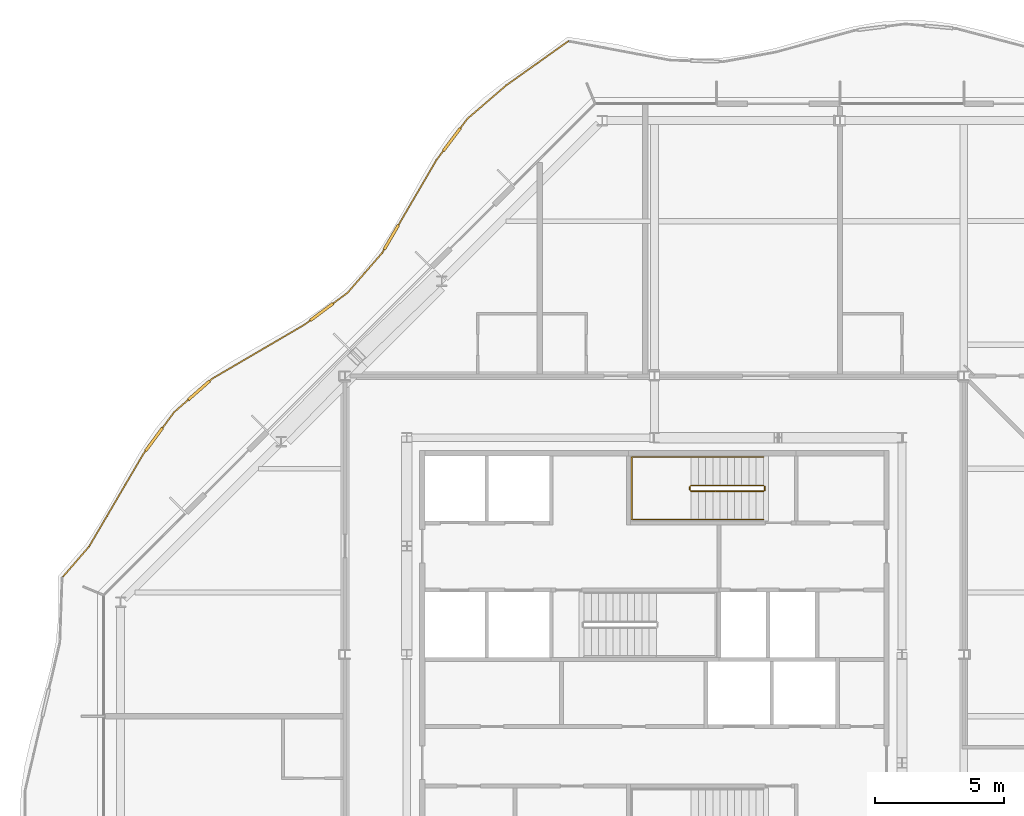
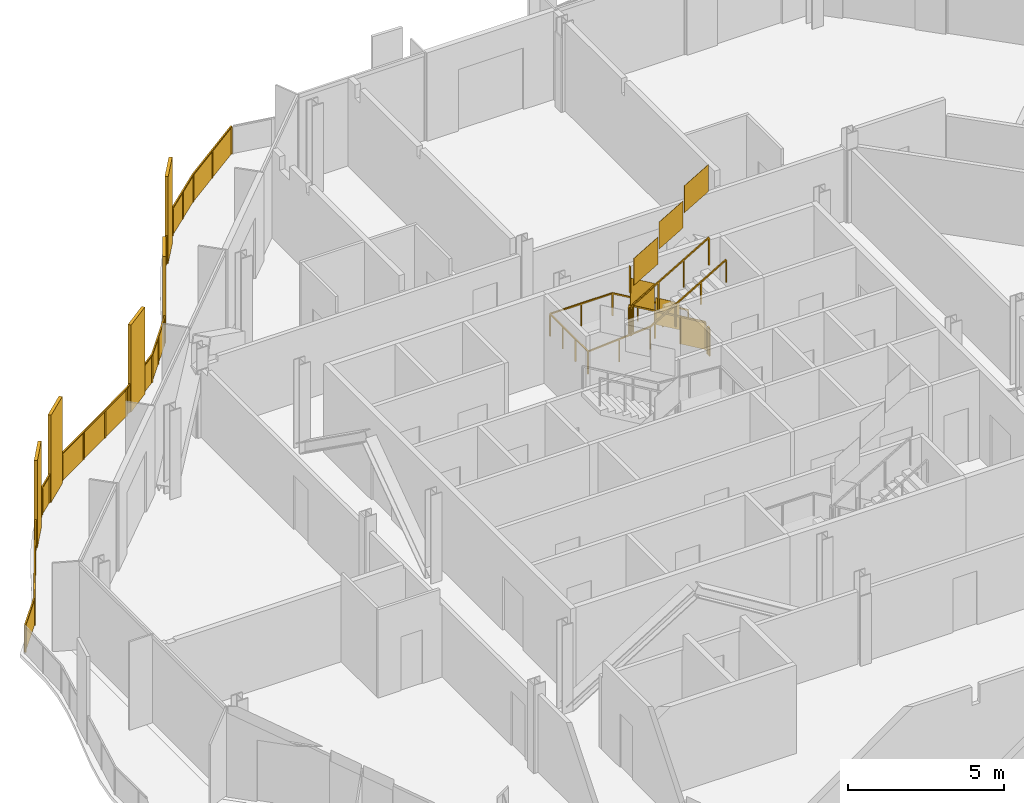
# One storey, part 16 of 17: 4 railings.
"""IFC4 building model written with IfcOpenShell, lengths in metres."""

from ifc_helpers import new_model, si_unit, direction, frame, origin, origin_2d, place, context, subcontext, project, spatial, polyline, rectangle, outline, extrude, material, type_object, element, save


model = new_model("IFC4")

# Units and contexts
model_context = context("Model", 3, precision=1e-05, world=origin(), true_north=direction((0.0, 1.0)))
body_context = subcontext(model_context, "Body", "Model", "MODEL_VIEW")
ifc_project = project(units=[si_unit("LENGTHUNIT", "METRE"), si_unit("AREAUNIT", "SQUARE_METRE"), si_unit("VOLUMEUNIT", "CUBIC_METRE"), si_unit("PLANEANGLEUNIT", "RADIAN"), si_unit("MASSUNIT", "GRAM", prefix="KILO")], contexts=[model_context])

# Site, building, storey
site_placement = place(None, origin())
site = spatial("IfcSite", under=ifc_project, at=site_placement, CompositionType="ELEMENT")
building_placement = place(site_placement, origin())
building = spatial("IfcBuilding", under=site, at=building_placement, Name="Cairn Pilgrim Tower", CompositionType="ELEMENT")
storey_placement = place(building_placement, frame((0.0, 0.0, 239.39990234375)))
storey = spatial("IfcBuildingStorey", under=building, at=storey_placement, Name="L61", CompositionType="ELEMENT", Elevation=239.39990234375)

# Railings
ifc_material_1 = material(Name="Bronze anodised aluminium rail, posts and fin screens with laminated glass infill", Category="aluminium")
railing_type_1 = type_object("IfcRailingType", Name="BALCONY GUARD WITH FIN SCREENS", PredefinedType="GUARDRAIL", material=ifc_material_1)
railing_1_placement = place(storey_placement, frame((3.865966796875, 26.1806640625, 0.0)))
element("IfcRailing", 1, at=railing_1_placement, inside=storey, type_object=railing_type_1, Name="Balcony guard BGF-6 with fin screens", PredefinedType="GUARDRAIL", context=body_context, shape_type="SweptSolid", body=[
    extrude(rectangle(XDim=0.050048828125, YDim=0.050048828125, at=origin_2d()), frame((0.0, 0.0, 1.0751953125), z_axis=(-0.81479384637, -0.579750798117, 0.0), x_axis=(0.579750798117, -0.81479384637, 0.0)), (0.0, 0.0, 1.0), 2.951904296875),
    extrude(rectangle(XDim=0.050048828125, YDim=0.050048828125, at=origin_2d()), frame((-2.4052734375, -1.71142578125, 1.0751953125), z_axis=(-0.758252995424, -0.65196042436, 0.0), x_axis=(0.65196042436, -0.758252995424, 0.0)), (0.0, 0.0, 1.0), 1.99365234375),
    extrude(rectangle(XDim=1.10009765625, YDim=0.110107421875, at=origin_2d()), frame((-4.522705078125, -3.820068359375, 0.0), z_axis=(0.0, 0.0, 1.0), x_axis=(-0.599454901789, -0.800408533639, 0.0)), (0.0, 0.0, 1.0), 3.39990234375),
    extrude(rectangle(XDim=0.050048828125, YDim=0.050048828125, at=origin_2d()), frame((-3.9169921875, -3.01123046875, 1.0751953125), z_axis=(-0.599454901789, -0.800408533639, 0.0), x_axis=(0.800408533639, -0.599454901789, 0.0)), (0.0, 0.0, 1.0), 0.460693359375),
    extrude(rectangle(XDim=0.050048828125, YDim=0.050048828125, at=origin_2d()), frame((-4.8525390625, -4.26025390625, 1.0751953125), z_axis=(-0.599454901789, -0.800408533639, 0.0), x_axis=(0.800408533639, -0.599454901789, 0.0)), (0.0, 0.0, 1.0), 0.446533203125),
    extrude(rectangle(XDim=1.10009765625, YDim=0.110107421875, at=origin_2d()), frame((-6.867919921875, -7.608642578125, 0.0), z_axis=(0.0, 0.0, 1.0), x_axis=(-0.504563478726, -0.86337459769, 0.0)), (0.0, 0.0, 1.0), 3.39990234375),
    extrude(rectangle(XDim=0.050048828125, YDim=0.050048828125, at=origin_2d()), frame((-5.1201171875, -4.61767578125, 1.0751953125), z_axis=(-0.504563478726, -0.86337459769, 0.0), x_axis=(0.86337459769, -0.504563478726, 0.0)), (0.0, 0.0, 1.0), 2.9140625),
    extrude(rectangle(XDim=0.050048828125, YDim=0.050048828125, at=origin_2d()), frame((-7.1455078125, -8.08349609375, 1.0751953125), z_axis=(-0.504563478726, -0.86337459769, 0.0), x_axis=(0.86337459769, -0.504563478726, 0.0)), (0.0, 0.0, 1.0), 0.14990234375),
    extrude(rectangle(XDim=0.050048828125, YDim=0.050048828125, at=origin_2d()), frame((-7.22119140625, -8.212890625, 1.0751953125), z_axis=(-0.655679497704, -0.755039334267, 0.0), x_axis=(0.755039334267, -0.655679497704, 0.0)), (0.0, 0.0, 1.0), 2.046875),
    extrude(rectangle(XDim=1.10009765625, YDim=0.110107421875, at=origin_2d()), frame((-9.56787109375, -10.504150390625, 0.0), z_axis=(0.0, 0.0, 1.0), x_axis=(-0.802951496235, -0.596044373092, 0.0)), (0.0, 0.0, 1.0), 3.39990234375),
    extrude(rectangle(XDim=0.050048828125, YDim=0.050048828125, at=origin_2d()), frame((-8.563232421875, -9.75830078125, 1.0751953125), z_axis=(-0.802951496235, -0.596044373092, 0.0), x_axis=(0.596044373092, -0.802951496235, 0.0)), (0.0, 0.0, 1.0), 0.701171875),
    extrude(rectangle(XDim=0.050048828125, YDim=0.050048828125, at=origin_2d()), frame((-10.009521484375, -10.83203125, 1.0751953125), z_axis=(-0.802951496235, -0.596044373092, 0.0), x_axis=(0.596044373092, -0.802951496235, 0.0)), (0.0, 0.0, 1.0), 0.256591796875),
    extrude(rectangle(XDim=0.050048828125, YDim=0.050048828125, at=origin_2d()), frame((-10.215576171875, -10.98486328125, 1.0751953125), z_axis=(-0.863076368021, -0.505073443138, 0.0), x_axis=(0.505073443138, -0.863076368021, 0.0)), (0.0, 0.0, 1.0), 4.151611328125),
    extrude(rectangle(XDim=1.10009765625, YDim=0.110107421875, at=origin_2d()), frame((-14.324951171875, -13.54345703125, 0.0), z_axis=(0.0, 0.0, 1.0), x_axis=(-0.751776225844, -0.659418309009, 0.0)), (0.0, 0.0, 1.0), 3.39990234375),
    extrude(rectangle(XDim=0.050048828125, YDim=0.050048828125, at=origin_2d()), frame((-13.798828125, -13.081787109375, 1.0751953125), z_axis=(-0.751776225844, -0.659418309009, 0.0), x_axis=(0.659418309009, -0.751776225844, 0.0)), (0.0, 0.0, 1.0), 0.14990234375),
    extrude(rectangle(XDim=0.050048828125, YDim=0.050048828125, at=origin_2d()), frame((-14.738525390625, -13.906005859375, 1.0751953125), z_axis=(-0.751776225844, -0.659418309009, 0.0), x_axis=(0.659418309009, -0.751776225844, 0.0)), (0.0, 0.0, 1.0), 0.735107421875),
    extrude(rectangle(XDim=1.10009765625, YDim=0.110107421875, at=origin_2d()), frame((-16.067626953125, -15.4462890625, 0.0), z_axis=(0.0, 0.0, 1.0), x_axis=(-0.5925318662, -0.805547011376, 0.0)), (0.0, 0.0, 1.0), 3.39990234375),
    extrude(rectangle(XDim=0.050048828125, YDim=0.050048828125, at=origin_2d()), frame((-15.291259765625, -14.390869140625, 1.0751953125), z_axis=(-0.5925318662, -0.805547011376, 0.0), x_axis=(0.805547011376, -0.5925318662, 0.0)), (0.0, 0.0, 1.0), 0.76025390625),
    extrude(rectangle(XDim=0.050048828125, YDim=0.050048828125, at=origin_2d()), frame((-16.3935546875, -15.889404296875, 1.0751953125), z_axis=(-0.5925318662, -0.805547011376, 0.0), x_axis=(0.805547011376, -0.5925318662, 0.0)), (0.0, 0.0, 1.0), 0.150146484375),
    extrude(rectangle(XDim=0.050048828125, YDim=0.050048828125, at=origin_2d()), frame((-16.482421875, -16.01025390625, 1.0751953125), z_axis=(-0.505733044514, -0.862690029899, 0.0), x_axis=(0.862690029899, -0.505733044514, 0.0)), (0.0, 0.0, 1.0), 4.1630859375),
    extrude(rectangle(XDim=0.050048828125, YDim=0.050048828125, at=origin_2d()), frame((-18.587890625, -19.601806640625, 1.0751953125), z_axis=(-0.654688927968, -0.755898410896, 0.0), x_axis=(0.755898410896, -0.654688927968, 0.0)), (0.0, 0.0, 1.0), 1.5390625),
    extrude(rectangle(XDim=0.050048828125, YDim=0.050048828125, at=origin_2d()), origin(), (0.0, 0.0, 1.0), 1.050048828125),
    extrude(rectangle(XDim=0.050048828125, YDim=0.050048828125, at=origin_2d()), frame((-1.20263671875, -0.855712890625, 0.0)), (0.0, 0.0, 1.0), 1.050048828125),
    extrude(rectangle(XDim=0.050048828125, YDim=0.050048828125, at=origin_2d()), frame((-2.4052734375, -1.71142578125, 0.0)), (0.0, 0.0, 1.0), 1.050048828125),
    extrude(rectangle(XDim=0.050048828125, YDim=0.050048828125, at=origin_2d()), frame((-3.1611328125, -2.361328125, 0.0)), (0.0, 0.0, 1.0), 1.050048828125),
    extrude(rectangle(XDim=0.050048828125, YDim=0.050048828125, at=origin_2d()), frame((-3.9169921875, -3.01123046875, 0.0)), (0.0, 0.0, 1.0), 1.050048828125),
    extrude(rectangle(XDim=0.050048828125, YDim=0.050048828125, at=origin_2d()), frame((-4.17822265625, -3.35986328125, 0.0)), (0.0, 0.0, 1.0), 1.050048828125),
    extrude(rectangle(XDim=0.050048828125, YDim=0.050048828125, at=origin_2d()), frame((-4.867431640625, -4.2802734375, 0.0)), (0.0, 0.0, 1.0), 1.050048828125),
    extrude(rectangle(XDim=0.050048828125, YDim=0.050048828125, at=origin_2d()), frame((-5.1201171875, -4.61767578125, 0.0)), (0.0, 0.0, 1.0), 1.050048828125),
    extrude(rectangle(XDim=0.050048828125, YDim=0.050048828125, at=origin_2d()), frame((-5.848876953125, -5.864990234375, 0.0)), (0.0, 0.0, 1.0), 1.050048828125),
    extrude(rectangle(XDim=0.050048828125, YDim=0.050048828125, at=origin_2d()), frame((-6.577880859375, -7.112060546875, 0.0)), (0.0, 0.0, 1.0), 1.050048828125),
    extrude(rectangle(XDim=0.050048828125, YDim=0.050048828125, at=origin_2d()), frame((-7.158203125, -8.10498046875, 0.0)), (0.0, 0.0, 1.0), 1.050048828125),
    extrude(rectangle(XDim=0.050048828125, YDim=0.050048828125, at=origin_2d()), frame((-7.22119140625, -8.212890625, 0.0)), (0.0, 0.0, 1.0), 1.050048828125),
    extrude(rectangle(XDim=0.050048828125, YDim=0.050048828125, at=origin_2d()), frame((-7.89208984375, -8.985595703125, 0.0)), (0.0, 0.0, 1.0), 1.050048828125),
    extrude(rectangle(XDim=0.050048828125, YDim=0.050048828125, at=origin_2d()), frame((-8.563232421875, -9.75830078125, 0.0)), (0.0, 0.0, 1.0), 1.050048828125),
    extrude(rectangle(XDim=0.050048828125, YDim=0.050048828125, at=origin_2d()), frame((-9.106201171875, -10.161376953125, 0.0)), (0.0, 0.0, 1.0), 1.050048828125),
    extrude(rectangle(XDim=0.050048828125, YDim=0.050048828125, at=origin_2d()), frame((-10.029541015625, -10.846923828125, 0.0)), (0.0, 0.0, 1.0), 1.050048828125),
    extrude(rectangle(XDim=0.050048828125, YDim=0.050048828125, at=origin_2d()), frame((-10.215576171875, -10.98486328125, 0.0)), (0.0, 0.0, 1.0), 1.050048828125),
    extrude(rectangle(XDim=0.050048828125, YDim=0.050048828125, at=origin_2d()), frame((-11.409912109375, -11.683837890625, 0.0)), (0.0, 0.0, 1.0), 1.050048828125),
    extrude(rectangle(XDim=0.050048828125, YDim=0.050048828125, at=origin_2d()), frame((-12.6044921875, -12.3828125, 0.0)), (0.0, 0.0, 1.0), 1.050048828125),
    extrude(rectangle(XDim=0.050048828125, YDim=0.050048828125, at=origin_2d()), frame((-13.798828125, -13.081787109375, 0.0)), (0.0, 0.0, 1.0), 1.050048828125),
    extrude(rectangle(XDim=0.050048828125, YDim=0.050048828125, at=origin_2d()), frame((-13.892822265625, -13.164306640625, 0.0)), (0.0, 0.0, 1.0), 1.050048828125),
    extrude(rectangle(XDim=0.050048828125, YDim=0.050048828125, at=origin_2d()), frame((-14.75732421875, -13.922607421875, 0.0)), (0.0, 0.0, 1.0), 1.050048828125),
    extrude(rectangle(XDim=0.050048828125, YDim=0.050048828125, at=origin_2d()), frame((-15.291259765625, -14.390869140625, 0.0)), (0.0, 0.0, 1.0), 1.050048828125),
    extrude(rectangle(XDim=0.050048828125, YDim=0.050048828125, at=origin_2d()), frame((-15.726806640625, -14.983154296875, 0.0)), (0.0, 0.0, 1.0), 1.050048828125),
    extrude(rectangle(XDim=0.050048828125, YDim=0.050048828125, at=origin_2d()), frame((-16.408203125, -15.909423828125, 0.0)), (0.0, 0.0, 1.0), 1.050048828125),
    extrude(rectangle(XDim=0.050048828125, YDim=0.050048828125, at=origin_2d()), frame((-16.482421875, -16.01025390625, 0.0)), (0.0, 0.0, 1.0), 1.050048828125),
    extrude(rectangle(XDim=0.050048828125, YDim=0.050048828125, at=origin_2d()), frame((-17.184326171875, -17.20751953125, 0.0)), (0.0, 0.0, 1.0), 1.050048828125),
    extrude(rectangle(XDim=0.050048828125, YDim=0.050048828125, at=origin_2d()), frame((-17.885986328125, -18.404541015625, 0.0)), (0.0, 0.0, 1.0), 1.050048828125),
    extrude(rectangle(XDim=0.050048828125, YDim=0.050048828125, at=origin_2d()), frame((-18.587890625, -19.601806640625, 0.0)), (0.0, 0.0, 1.0), 1.050048828125),
    extrude(rectangle(XDim=0.050048828125, YDim=0.050048828125, at=origin_2d()), frame((-19.595458984375, -20.76513671875, 0.0)), (0.0, 0.0, 1.0), 1.050048828125),
    extrude(outline(polyline([(0.02490234375, 0.0), (1.450927734375, 0.0), (1.450927734375, 1.050048828125), (0.02490234375, 1.050048828125), (0.02490234375, 0.0)])), frame((0.00341796875, -0.0048828125, 0.0), z_axis=(-0.579750798117, 0.81479384637, 0.0), x_axis=(-0.81479384637, -0.579750798117, 0.0)), (0.0, 0.0, 1.0), 0.011962890625),
    extrude(outline(polyline([(0.02490234375, 0.0), (1.450927734375, 0.0), (1.450927734375, 1.050048828125), (0.02490234375, 1.050048828125), (0.02490234375, 0.0)])), frame((-1.19921875, -0.860595703125, 0.0), z_axis=(-0.579750798117, 0.81479384637, 0.0), x_axis=(-0.81479384637, -0.579750798117, 0.0)), (0.0, 0.0, 1.0), 0.011962890625),
    extrude(outline(polyline([(0.02490234375, 0.0), (0.971923828125, 0.0), (0.971923828125, 1.050048828125), (0.02490234375, 1.050048828125), (0.02490234375, 0.0)])), frame((-2.4013671875, -1.716064453125, 0.0), z_axis=(-0.65196042436, 0.758252995424, 0.0), x_axis=(-0.758252995424, -0.65196042436, 0.0)), (0.0, 0.0, 1.0), 0.011962890625),
    extrude(outline(polyline([(0.02490234375, 0.0), (0.971923828125, 0.0), (0.971923828125, 1.050048828125), (0.02490234375, 1.050048828125), (0.02490234375, 0.0)])), frame((-3.1572265625, -2.365966796875, 0.0), z_axis=(-0.65196042436, 0.758252995424, 0.0), x_axis=(-0.758252995424, -0.65196042436, 0.0)), (0.0, 0.0, 1.0), 0.011962890625),
    extrude(outline(polyline([(0.02490234375, 0.0), (0.41064453125, 0.0), (0.41064453125, 1.050048828125), (0.02490234375, 1.050048828125), (0.02490234375, 0.0)])), frame((-3.912109375, -3.014892578125, 0.0), z_axis=(-0.800408533639, 0.599454901789, 0.0), x_axis=(-0.599454901789, -0.800408533639, 0.0)), (0.0, 0.0, 1.0), 0.011962890625),
    extrude(outline(polyline([(0.02490234375, 0.0), (0.396484375, 0.0), (0.396484375, 1.050048828125), (0.02490234375, 1.050048828125), (0.02490234375, 0.0)])), frame((-4.86279296875, -4.283935546875, 0.0), z_axis=(-0.800408533639, 0.599454901789, 0.0), x_axis=(-0.599454901789, -0.800408533639, 0.0)), (0.0, 0.0, 1.0), 0.011962890625),
    extrude(outline(polyline([(0.02490234375, 0.0), (1.41943359375, 0.0), (1.41943359375, 1.050048828125), (0.02490234375, 1.050048828125), (0.02490234375, 0.0)])), frame((-5.114990234375, -4.62060546875, 0.0), z_axis=(-0.86337459769, 0.504563478726, 0.0), x_axis=(-0.504563478726, -0.86337459769, 0.0)), (0.0, 0.0, 1.0), 0.011962890625),
    extrude(outline(polyline([(0.02490234375, 0.0), (1.41943359375, 0.0), (1.41943359375, 1.050048828125), (0.02490234375, 1.050048828125), (0.02490234375, 0.0)])), frame((-5.84375, -5.867919921875, 0.0), z_axis=(-0.86337459769, 0.504563478726, 0.0), x_axis=(-0.504563478726, -0.86337459769, 0.0)), (0.0, 0.0, 1.0), 0.011962890625),
    extrude(outline(polyline([(0.02490234375, 0.0), (0.099853515625, 0.0), (0.099853515625, 1.050048828125), (0.02490234375, 1.050048828125), (0.02490234375, 0.0)])), frame((-7.153076171875, -8.108154296875, 0.0), z_axis=(-0.86337459769, 0.504563478726, 0.0), x_axis=(-0.504563478726, -0.86337459769, 0.0)), (0.0, 0.0, 1.0), 0.011962890625),
    extrude(outline(polyline([(0.02490234375, 0.0), (0.998291015625, 0.0), (0.998291015625, 1.050048828125), (0.02490234375, 1.050048828125), (0.02490234375, 0.0)])), frame((-7.216796875, -8.216796875, 0.0), z_axis=(-0.755039334267, 0.655679497704, 0.0), x_axis=(-0.655679497704, -0.755039334267, 0.0)), (0.0, 0.0, 1.0), 0.011962890625),
    extrude(outline(polyline([(0.02490234375, 0.0), (0.998291015625, 0.0), (0.998291015625, 1.050048828125), (0.02490234375, 1.050048828125), (0.02490234375, 0.0)])), frame((-7.8876953125, -8.989501953125, 0.0), z_axis=(-0.755039334267, 0.655679497704, 0.0), x_axis=(-0.655679497704, -0.755039334267, 0.0)), (0.0, 0.0, 1.0), 0.011962890625),
    extrude(outline(polyline([(0.02490234375, 0.0), (0.651123046875, 0.0), (0.651123046875, 1.050048828125), (0.02490234375, 1.050048828125), (0.02490234375, 0.0)])), frame((-8.5595703125, -9.76318359375, 0.0), z_axis=(-0.596044373092, 0.802951496235, 0.0), x_axis=(-0.802951496235, -0.596044373092, 0.0)), (0.0, 0.0, 1.0), 0.011962890625),
    extrude(outline(polyline([(0.02490234375, 0.0), (0.20654296875, 0.0), (0.20654296875, 1.050048828125), (0.02490234375, 1.050048828125), (0.02490234375, 0.0)])), frame((-10.026123046875, -10.8515625, 0.0), z_axis=(-0.596044373092, 0.802951496235, 0.0), x_axis=(-0.802951496235, -0.596044373092, 0.0)), (0.0, 0.0, 1.0), 0.011962890625),
    extrude(outline(polyline([(0.02490234375, 0.0), (1.35888671875, 0.0), (1.35888671875, 1.050048828125), (0.02490234375, 1.050048828125), (0.02490234375, 0.0)])), frame((-10.212646484375, -10.989990234375, 0.0), z_axis=(-0.505073443138, 0.863076368021, 0.0), x_axis=(-0.863076368021, -0.505073443138, 0.0)), (0.0, 0.0, 1.0), 0.011962890625),
    extrude(outline(polyline([(0.02490234375, 0.0), (1.35888671875, 0.0), (1.35888671875, 1.050048828125), (0.02490234375, 1.050048828125), (0.02490234375, 0.0)])), frame((-11.406982421875, -11.68896484375, 0.0), z_axis=(-0.505073443138, 0.863076368021, 0.0), x_axis=(-0.863076368021, -0.505073443138, 0.0)), (0.0, 0.0, 1.0), 0.011962890625),
    extrude(outline(polyline([(0.02490234375, 0.0), (1.35888671875, 0.0), (1.35888671875, 1.050048828125), (0.02490234375, 1.050048828125), (0.02490234375, 0.0)])), frame((-12.601318359375, -12.387939453125, 0.0), z_axis=(-0.505073443138, 0.863076368021, 0.0), x_axis=(-0.863076368021, -0.505073443138, 0.0)), (0.0, 0.0, 1.0), 0.011962890625),
    extrude(outline(polyline([(0.02490234375, 0.0), (0.099853515625, 0.0), (0.099853515625, 1.050048828125), (0.02490234375, 1.050048828125), (0.02490234375, 0.0)])), frame((-13.794921875, -13.086181640625, 0.0), z_axis=(-0.659418309009, 0.751776225844, 0.0), x_axis=(-0.751776225844, -0.659418309009, 0.0)), (0.0, 0.0, 1.0), 0.011962890625),
    extrude(outline(polyline([(0.02490234375, 0.0), (0.68505859375, 0.0), (0.68505859375, 1.050048828125), (0.02490234375, 1.050048828125), (0.02490234375, 0.0)])), frame((-14.75341796875, -13.927001953125, 0.0), z_axis=(-0.659418309009, 0.751776225844, 0.0), x_axis=(-0.751776225844, -0.659418309009, 0.0)), (0.0, 0.0, 1.0), 0.011962890625),
    extrude(outline(polyline([(0.02490234375, 0.0), (0.710205078125, 0.0), (0.710205078125, 1.050048828125), (0.02490234375, 1.050048828125), (0.02490234375, 0.0)])), frame((-15.286376953125, -14.39453125, 0.0), z_axis=(-0.805547011376, 0.5925318662, 0.0), x_axis=(-0.5925318662, -0.805547011376, 0.0)), (0.0, 0.0, 1.0), 0.011962890625),
    extrude(outline(polyline([(0.02490234375, 0.0), (0.10009765625, 0.0), (0.10009765625, 1.050048828125), (0.02490234375, 1.050048828125), (0.02490234375, 0.0)])), frame((-16.403564453125, -15.9130859375, 0.0), z_axis=(-0.805547011376, 0.5925318662, 0.0), x_axis=(-0.5925318662, -0.805547011376, 0.0)), (0.0, 0.0, 1.0), 0.011962890625),
    extrude(outline(polyline([(0.02490234375, 0.0), (1.36279296875, 0.0), (1.36279296875, 1.050048828125), (0.02490234375, 1.050048828125), (0.02490234375, 0.0)])), frame((-16.477294921875, -16.01318359375, 0.0), z_axis=(-0.862690029899, 0.505733044514, 0.0), x_axis=(-0.505733044514, -0.862690029899, 0.0)), (0.0, 0.0, 1.0), 0.011962890625),
    extrude(outline(polyline([(0.02490234375, 0.0), (1.36279296875, 0.0), (1.36279296875, 1.050048828125), (0.02490234375, 1.050048828125), (0.02490234375, 0.0)])), frame((-17.17919921875, -17.21044921875, 0.0), z_axis=(-0.862690029899, 0.505733044514, 0.0), x_axis=(-0.505733044514, -0.862690029899, 0.0)), (0.0, 0.0, 1.0), 0.011962890625),
    extrude(outline(polyline([(0.02490234375, 0.0), (1.36279296875, 0.0), (1.36279296875, 1.050048828125), (0.02490234375, 1.050048828125), (0.02490234375, 0.0)])), frame((-17.880859375, -18.40771484375, 0.0), z_axis=(-0.862690029899, 0.505733044514, 0.0), x_axis=(-0.505733044514, -0.862690029899, 0.0)), (0.0, 0.0, 1.0), 0.011962890625),
    extrude(outline(polyline([(0.02490234375, 0.0), (1.513916015625, 0.0), (1.513916015625, 1.050048828125), (0.02490234375, 1.050048828125), (0.02490234375, 0.0)])), frame((-18.583251953125, -19.605712890625, 0.0), z_axis=(-0.755898410896, 0.654688927968, 0.0), x_axis=(-0.654688927968, -0.755898410896, 0.0)), (0.0, 0.0, 1.0), 0.011962890625),
])
ifc_material_2 = material(Name="Painted steel", Category="steel")
railing_type_2 = type_object("IfcRailingType", Name="STAIR GUARD 1100", PredefinedType="GUARDRAIL", material=ifc_material_2)
railing_2_placement = place(storey_placement, frame((11.425048828125, 8.949951171875, 0.163818359375)))
element("IfcRailing", 2, at=railing_2_placement, inside=storey, type_object=railing_type_2, Name="L61 ST-C stair guard 1", PredefinedType="GUARDRAIL", context=body_context, shape_type="SweptSolid", body=[
    extrude(rectangle(XDim=0.048095703125, YDim=0.048095703125, at=origin_2d()), frame((0.0, 0.0, 1.076171875), z_axis=(-0.863393664356, 0.0, 0.504530851732), x_axis=(0.0, -1.0, 0.0)), (0.0, 0.0, 1.0), 3.2431640625),
    extrude(rectangle(XDim=0.048095703125, YDim=0.048095703125, at=origin_2d()), frame((-2.800048828125, 0.0, 2.71240234375), z_axis=(-0.707106781187, -0.707106781187, 0.0), x_axis=(0.707106781187, -0.707106781187, 0.0)), (0.0, 0.0, 1.0), 0.07080078125),
    extrude(rectangle(XDim=0.048095703125, YDim=0.048095703125, at=origin_2d()), frame((-2.85009765625, -0.050048828125, 2.71240234375), z_axis=(0.0, -1.0, 0.0), x_axis=(1.0, 0.0, 0.0)), (0.0, 0.0, 1.0), 0.125),
    extrude(rectangle(XDim=0.048095703125, YDim=0.048095703125, at=origin_2d()), frame((-2.85009765625, -0.175048828125, 2.71240234375), z_axis=(0.280916556609, -0.279546231943, 0.91811752648), x_axis=(0.705375805398, 0.708833529934, 0.0)), (0.0, 0.0, 1.0), 0.17822265625),
    extrude(rectangle(XDim=0.048095703125, YDim=0.048095703125, at=origin_2d()), frame((-2.800048828125, -0.224853515625, 2.8759765625), z_axis=(0.863360870873, 0.0, 0.504586966384), x_axis=(0.0, 1.0, 0.0)), (0.0, 0.0, 1.0), 3.2431640625),
    extrude(rectangle(XDim=0.0419921875, YDim=0.0419921875, at=origin_2d()), origin(), (0.0, 0.0, 1.0), 1.052001953125),
    extrude(rectangle(XDim=0.0419921875, YDim=0.0419921875, at=origin_2d()), frame((-0.933349609375, 0.0, 0.54541015625)), (0.0, 0.0, 1.0), 1.052001953125),
    extrude(rectangle(XDim=0.0419921875, YDim=0.0419921875, at=origin_2d()), frame((-1.86669921875, 0.0, 1.0908203125)), (0.0, 0.0, 1.0), 1.052001953125),
    extrude(rectangle(XDim=0.0419921875, YDim=0.0419921875, at=origin_2d()), frame((-2.800048828125, 0.0, 1.63623046875)), (0.0, 0.0, 1.0), 1.052001953125),
    extrude(rectangle(XDim=0.0419921875, YDim=0.0419921875, at=origin_2d()), frame((-2.85009765625, -0.050048828125, 1.63623046875)), (0.0, 0.0, 1.0), 1.052001953125),
    extrude(rectangle(XDim=0.0419921875, YDim=0.0419921875, at=origin_2d()), frame((-2.85009765625, -0.175048828125, 1.63623046875)), (0.0, 0.0, 1.0), 1.052001953125),
    extrude(rectangle(XDim=0.0419921875, YDim=0.0419921875, at=origin_2d()), frame((-2.800048828125, -0.224853515625, 1.7998046875)), (0.0, 0.0, 1.0), 1.052001953125),
    extrude(rectangle(XDim=0.0419921875, YDim=0.0419921875, at=origin_2d()), frame((-1.86669921875, -0.224853515625, 2.34521484375)), (0.0, 0.0, 1.0), 1.052001953125),
    extrude(rectangle(XDim=0.0419921875, YDim=0.0419921875, at=origin_2d()), frame((-0.933349609375, -0.224853515625, 2.890869140625)), (0.0, 0.0, 1.0), 1.052001953125),
    extrude(rectangle(XDim=0.0419921875, YDim=0.0419921875, at=origin_2d()), frame((0.0, -0.224853515625, 3.436279296875)), (0.0, 0.0, 1.0), 1.052001953125),
    extrude(outline(polyline([(0.02099609375, 0.01220703125), (0.912353515625, 0.533203125), (0.912353515625, 1.585205078125), (0.02099609375, 1.064208984375), (0.02099609375, 0.01220703125)])), frame((0.0, -0.005859375, 0.0), z_axis=(0.0, 1.0, 0.0), x_axis=(-1.0, 0.0, 0.0)), (0.0, 0.0, 1.0), 0.011962890625),
    extrude(outline(polyline([(0.02099609375, 0.5576171875), (0.912353515625, 1.07861328125), (0.912353515625, 2.130615234375), (0.02099609375, 1.609619140625), (0.02099609375, 0.5576171875)])), frame((-0.933349609375, -0.005859375, 0.54541015625), z_axis=(0.0, 1.0, 0.0), x_axis=(-1.0, 0.0, 0.0)), (0.0, 0.0, 1.0), 0.011962890625),
    extrude(outline(polyline([(0.02099609375, 1.10302734375), (0.912353515625, 1.6240234375), (0.912353515625, 2.676025390625), (0.02099609375, 2.155029296875), (0.02099609375, 1.10302734375)])), frame((-1.86669921875, -0.005859375, 1.0908203125), z_axis=(0.0, 1.0, 0.0), x_axis=(-1.0, 0.0, 0.0)), (0.0, 0.0, 1.0), 0.011962890625),
    extrude(outline(polyline([(0.02099609375, 1.63623046875), (0.10400390625, 1.63623046875), (0.10400390625, 2.688232421875), (0.02099609375, 2.688232421875), (0.02099609375, 1.63623046875)])), frame((-2.84423828125, -0.050048828125, 1.63623046875), z_axis=(-1.0, 0.0, 0.0), x_axis=(0.0, -1.0, 0.0)), (0.0, 0.0, 1.0), 0.011962890625),
    extrude(outline(polyline([(0.02099609375, 1.81201171875), (0.912353515625, 2.3330078125), (0.912353515625, 3.385009765625), (0.02099609375, 2.864013671875), (0.02099609375, 1.81201171875)])), frame((-2.800048828125, -0.21875, 1.7998046875), z_axis=(0.0, -1.0, 0.0), x_axis=(1.0, 0.0, 0.0)), (0.0, 0.0, 1.0), 0.011962890625),
    extrude(outline(polyline([(0.02099609375, 2.357666015625), (0.912353515625, 2.87841796875), (0.912353515625, 3.930419921875), (0.02099609375, 3.40966796875), (0.02099609375, 2.357666015625)])), frame((-1.86669921875, -0.21875, 2.34521484375), z_axis=(0.0, -1.0, 0.0), x_axis=(1.0, 0.0, 0.0)), (0.0, 0.0, 1.0), 0.011962890625),
    extrude(outline(polyline([(0.02099609375, 2.903076171875), (0.912353515625, 3.424072265625), (0.912353515625, 4.47607421875), (0.02099609375, 3.955078125), (0.02099609375, 2.903076171875)])), frame((-0.933349609375, -0.21875, 2.890869140625), z_axis=(0.0, -1.0, 0.0), x_axis=(1.0, 0.0, 0.0)), (0.0, 0.0, 1.0), 0.011962890625),
])
railing_3_placement = place(storey_placement, frame((11.47509765625, 8.89990234375, 0.0)))
element("IfcRailing", 3, at=railing_3_placement, inside=storey, type_object=railing_type_2, Name="L61 ST-C stair guard 2", PredefinedType="GUARDRAIL", context=body_context, shape_type="SweptSolid", body=[
    extrude(rectangle(XDim=0.048095703125, YDim=0.048095703125, at=origin_2d()), frame((0.0, 0.0, 1.076171875), z_axis=(0.0, -1.0, 0.0), x_axis=(1.0, 0.0, 0.0)), (0.0, 0.0, 1.0), 0.125),
    extrude(rectangle(XDim=0.0419921875, YDim=0.0419921875, at=origin_2d()), origin(), (0.0, 0.0, 1.0), 1.052001953125),
    extrude(rectangle(XDim=0.0419921875, YDim=0.0419921875, at=origin_2d()), frame((0.0, -0.125, 0.0)), (0.0, 0.0, 1.0), 1.052001953125),
    extrude(outline(polyline([(0.02099609375, 0.0), (0.10400390625, 0.0), (0.10400390625, 1.052001953125), (0.02099609375, 1.052001953125), (0.02099609375, 0.0)])), frame((0.005859375, 0.0, 0.0), z_axis=(-1.0, 0.0, 0.0), x_axis=(0.0, -1.0, 0.0)), (0.0, 0.0, 1.0), 0.011962890625),
])
railing_type_3 = type_object("IfcRailingType", Name="STAIR HANDRAIL 900", PredefinedType="HANDRAIL", material=ifc_material_2)
railing_4_placement = place(storey_placement, frame((11.425048828125, 10.050048828125, 0.163818359375)))
element("IfcRailing", 4, at=railing_4_placement, inside=storey, type_object=railing_type_3, Name="L61 ST-C stair handrail 1", PredefinedType="HANDRAIL", context=body_context, shape_type="SweptSolid", body=[
    extrude(rectangle(XDim=0.048095703125, YDim=0.048095703125, at=origin_2d()), frame((0.0, 0.0, 0.8759765625), z_axis=(-0.863393664356, 0.0, 0.504530851732), x_axis=(0.0, -1.0, 0.0)), (0.0, 0.0, 1.0), 3.2431640625),
    extrude(rectangle(XDim=0.048095703125, YDim=0.048095703125, at=origin_2d()), frame((-2.800048828125, 0.0, 2.51220703125), z_axis=(-1.0, 0.0, 0.0), x_axis=(0.0, -1.0, 0.0)), (0.0, 0.0, 1.0), 2.300048828125),
    extrude(rectangle(XDim=0.048095703125, YDim=0.048095703125, at=origin_2d()), frame((-5.10009765625, 0.0, 2.51220703125), z_axis=(0.0, -1.0, 0.0), x_axis=(1.0, 0.0, 0.0)), (0.0, 0.0, 1.0), 2.425048828125),
    extrude(rectangle(XDim=0.048095703125, YDim=0.048095703125, at=origin_2d()), frame((-5.10009765625, -2.425048828125, 2.51220703125), z_axis=(0.997480687736, 0.0, 0.070938548008), x_axis=(0.0, 1.0, 0.0)), (0.0, 0.0, 1.0), 2.305908203125),
    extrude(rectangle(XDim=0.048095703125, YDim=0.048095703125, at=origin_2d()), frame((-2.800048828125, -2.425048828125, 2.67578125), z_axis=(0.863360870873, 0.0, 0.504586966384), x_axis=(0.0, 1.0, 0.0)), (0.0, 0.0, 1.0), 3.2431640625),
    extrude(rectangle(XDim=0.0419921875, YDim=0.0419921875, at=origin_2d()), origin(), (0.0, 0.0, 1.0), 0.851806640625),
    extrude(rectangle(XDim=0.0419921875, YDim=0.0419921875, at=origin_2d()), frame((-0.933349609375, 0.0, 0.54541015625)), (0.0, 0.0, 1.0), 0.851806640625),
    extrude(rectangle(XDim=0.0419921875, YDim=0.0419921875, at=origin_2d()), frame((-1.86669921875, 0.0, 1.0908203125)), (0.0, 0.0, 1.0), 0.851806640625),
    extrude(rectangle(XDim=0.0419921875, YDim=0.0419921875, at=origin_2d()), frame((-2.800048828125, 0.0, 1.63623046875)), (0.0, 0.0, 1.0), 0.851806640625),
    extrude(rectangle(XDim=0.0419921875, YDim=0.0419921875, at=origin_2d()), frame((-3.9501953125, 0.0, 1.63623046875)), (0.0, 0.0, 1.0), 0.851806640625),
    extrude(rectangle(XDim=0.0419921875, YDim=0.0419921875, at=origin_2d()), frame((-5.10009765625, 0.0, 1.63623046875)), (0.0, 0.0, 1.0), 0.851806640625),
    extrude(rectangle(XDim=0.0419921875, YDim=0.0419921875, at=origin_2d()), frame((-5.10009765625, -0.808349609375, 1.63623046875)), (0.0, 0.0, 1.0), 0.851806640625),
    extrude(rectangle(XDim=0.0419921875, YDim=0.0419921875, at=origin_2d()), frame((-5.10009765625, -1.61669921875, 1.63623046875)), (0.0, 0.0, 1.0), 0.851806640625),
    extrude(rectangle(XDim=0.0419921875, YDim=0.0419921875, at=origin_2d()), frame((-5.10009765625, -2.425048828125, 1.63623046875)), (0.0, 0.0, 1.0), 0.851806640625),
    extrude(rectangle(XDim=0.0419921875, YDim=0.0419921875, at=origin_2d()), frame((-3.9501953125, -2.425048828125, 1.718017578125)), (0.0, 0.0, 1.0), 0.851806640625),
    extrude(rectangle(XDim=0.0419921875, YDim=0.0419921875, at=origin_2d()), frame((-2.800048828125, -2.425048828125, 1.7998046875)), (0.0, 0.0, 1.0), 0.851806640625),
    extrude(rectangle(XDim=0.0419921875, YDim=0.0419921875, at=origin_2d()), frame((-1.86669921875, -2.425048828125, 2.34521484375)), (0.0, 0.0, 1.0), 0.851806640625),
    extrude(rectangle(XDim=0.0419921875, YDim=0.0419921875, at=origin_2d()), frame((-0.933349609375, -2.425048828125, 2.890869140625)), (0.0, 0.0, 1.0), 0.851806640625),
    extrude(rectangle(XDim=0.0419921875, YDim=0.0419921875, at=origin_2d()), frame((0.0, -2.425048828125, 3.436279296875)), (0.0, 0.0, 1.0), 0.851806640625),
])

save(model, "model.ifc")
